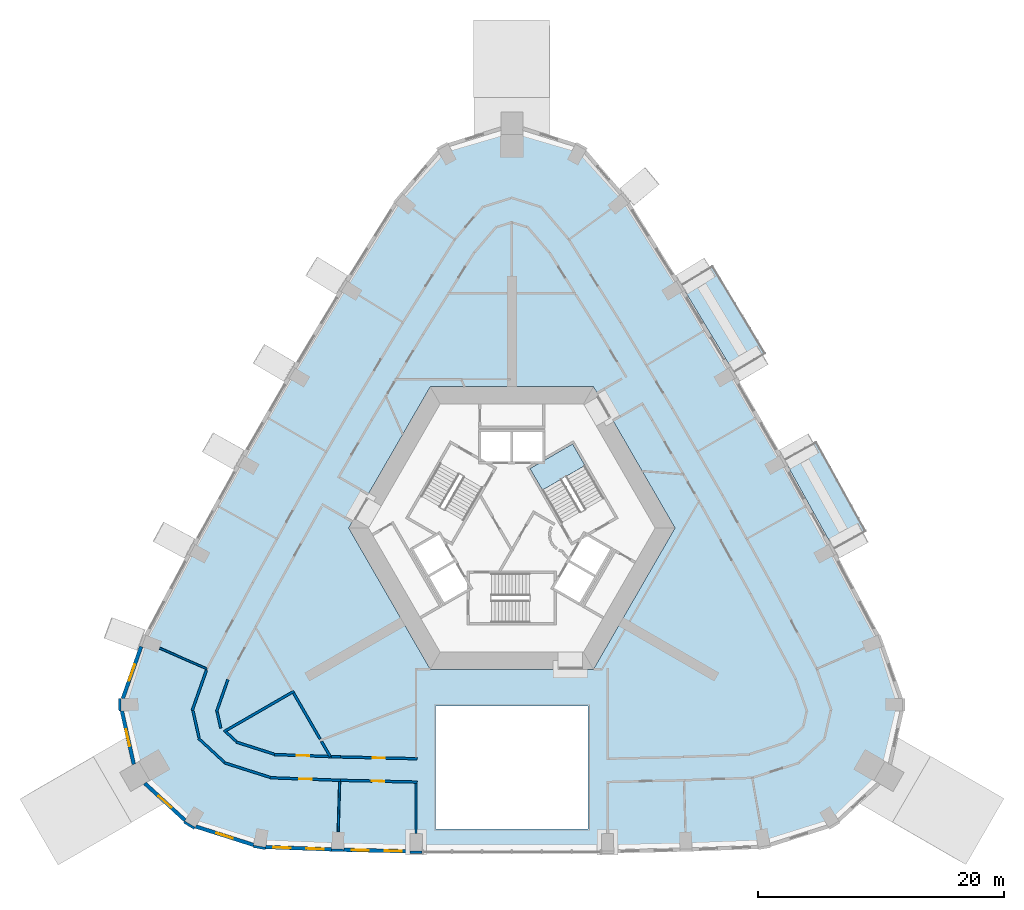
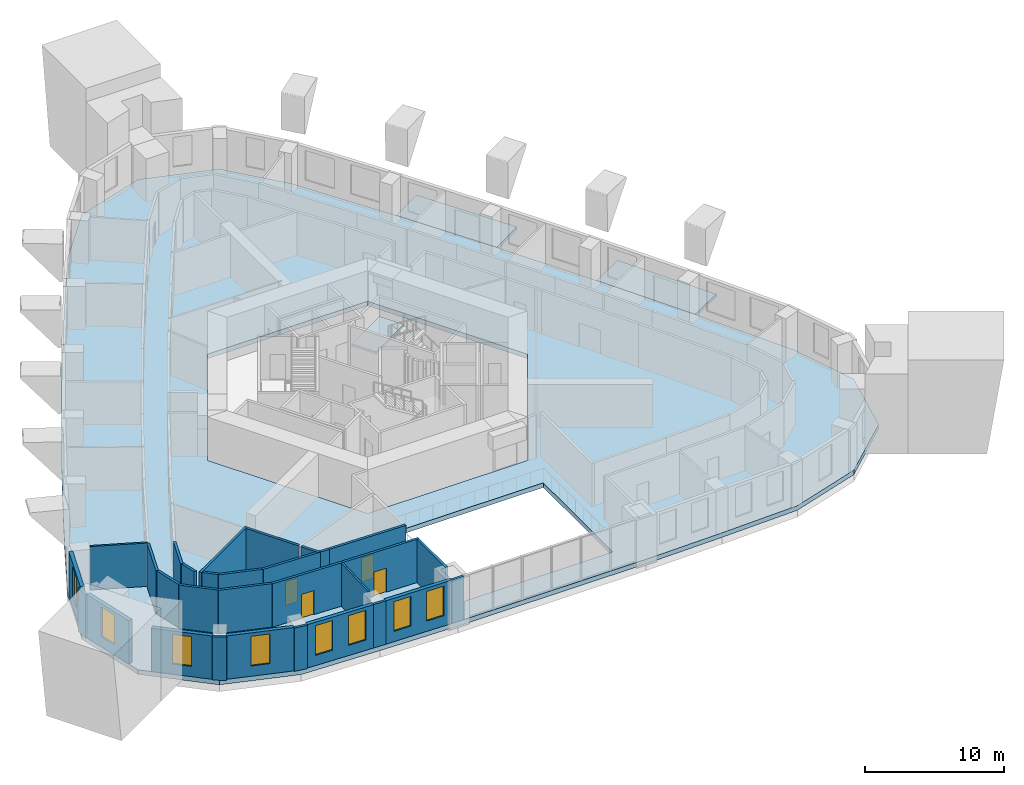
# One storey, part 3 of 13: 30 walls, 8 windows, 4 doors, 4 slabs, 12 openings, 1 element without a shape of its own.
"""IFC4 building model written with IfcOpenShell, lengths in metres."""

from ifc_helpers import new_model, si_unit, direction, frame, frame_2d, origin, place, context, subcontext, project, spatial, polyline, rectangle, outline, extrude, material, layer, layer_set, type_object, element, fill, aggregate, save


model = new_model("IFC4")

# Units and contexts
model_context = context("Model", 3, precision=1e-05, world=origin(), true_north=direction((0.0, 1.0)))
body_context = subcontext(model_context, "Body", "Model", "MODEL_VIEW")
ifc_project = project(units=[si_unit("LENGTHUNIT", "METRE"), si_unit("AREAUNIT", "SQUARE_METRE"), si_unit("VOLUMEUNIT", "CUBIC_METRE"), si_unit("PLANEANGLEUNIT", "RADIAN"), si_unit("MASSUNIT", "GRAM", prefix="KILO")], contexts=[model_context])

# Site, building, storey
site_placement = place(None, origin())
site = spatial("IfcSite", under=ifc_project, at=site_placement, CompositionType="ELEMENT")
building_placement = place(site_placement, origin())
building = spatial("IfcBuilding", under=site, at=building_placement, Name="Entoto Arch Interchange Tower", CompositionType="ELEMENT")
storey_placement = place(building_placement, frame((0.0, 0.0, 227.60009765625)))
storey = spatial("IfcBuildingStorey", under=building, at=storey_placement, Name="L51", CompositionType="ELEMENT", Elevation=227.60009765625)

# Slabs
ifc_material_1 = material(Name="Board-marked precast concrete C50/60", Category="concrete")
ifc_layer_1 = layer(ifc_material_1, 0.25)
ifc_layer_set_1 = layer_set([ifc_layer_1], Name="Board-marked precast concrete C50/60")
slab_type_1 = type_object("IfcSlabType", Name="BALCONY DECK PRECAST 250", PredefinedType="FLOOR", material=ifc_layer_set_1)
slab_1_placement = place(storey_placement, frame((0.0, 0.0, -0.25)))
element("IfcSlab", 1, at=slab_1_placement, inside=storey, type_object=slab_type_1, Name="Planted balcony NE-02 L51", PredefinedType="FLOOR", context=body_context, shape_type="SweptSolid", body=[
    extrude(outline(polyline([(26.18701171875, 0.818115234375), (22.18408203125, 8.041015625), (24.763916015625, 9.470947265625), (28.76708984375, 2.248046875), (26.18701171875, 0.818115234375)])), origin(), (0.0, 0.0, 1.0), 0.25),
])
slab_2_placement = place(storey_placement, frame((0.0, 0.0, -0.25)))
element("IfcSlab", 2, at=slab_2_placement, inside=storey, type_object=slab_type_1, Name="Planted balcony NE-04 L51", PredefinedType="FLOOR", context=body_context, shape_type="SweptSolid", body=[
    extrude(outline(polyline([(18.054931640625, 15.19091796875), (13.802001953125, 22.27001953125), (16.3310546875, 23.7890625), (20.583984375, 16.7099609375), (18.054931640625, 15.19091796875)])), origin(), (0.0, 0.0, 1.0), 0.25),
])

# Stair, slab
ifc_material_2 = material(Name="Concrete C40/50", Category="concrete")
stair_type = type_object("IfcStairType", Name="EXIT STAIR RC 1800", PredefinedType="HALF_TURN_STAIR", material=ifc_material_2)
stair_placement = place(storey_placement, origin())
stair = element("IfcStair", 3, at=stair_placement, inside=storey, type_object=stair_type, Name="L51 Exit stair NE", PredefinedType="HALF_TURN_STAIR")
ifc_layer_2 = layer(ifc_material_2, 0.199951171875)
ifc_layer_set_2 = layer_set([ifc_layer_2], Name="Concrete C40/50")
slab_type_2 = type_object("IfcSlabType", Name="EXIT STAIR LANDING RC 200", PredefinedType="LANDING", material=ifc_layer_set_2)
slab_3_placement = place(storey_placement, frame((0.0, 0.0, 1.89990234375)))
slab_3 = element("IfcSlab", 4, at=slab_3_placement, type_object=slab_type_2, Name="ST-NE landing 1", PredefinedType="LANDING", context=body_context, shape_type="SweptSolid", body=[
    extrude(outline(polyline([(5.953369140625, 7.58837890625), (4.943359375, 9.337890625), (1.479248046875, 7.337890625), (2.4892578125, 5.58837890625), (5.953369140625, 7.58837890625)])), origin(), (0.0, 0.0, 1.0), 0.199951171875),
])
aggregate(stair, [slab_3])

# Slab
ifc_layer_3 = layer(ifc_material_2, 0.39990234375)
ifc_layer_set_3 = layer_set([ifc_layer_3], Name="Concrete C40/50")
slab_type_3 = type_object("IfcSlabType", Name="Post-tensioned flat plate 400 C40/50", PredefinedType="FLOOR", material=ifc_layer_set_3)
slab_4_placement = place(storey_placement, frame((0.0, 0.0, -0.400146484375)))
element("IfcSlab", 5, at=slab_4_placement, inside=storey, type_object=slab_type_3, Name="Floor slab L51", PredefinedType="FLOOR", context=body_context, shape_type="SweptSolid", body=[
    extrude(outline(polyline([(-20.569091796875, -23.594970703125), (-14.18505859375, -23.830078125), (-7.800048828125, -23.97802734375), (7.800048828125, -23.97802734375), (14.18505859375, -23.830078125), (20.569091796875, -23.594970703125), (26.299072265625, -21.77099609375), (30.698974609375, -17.72412109375), (32.00390625, -11.889892578125), (30.14306640625, -6.6240234375), (26.18701171875, 0.818115234375), (22.18408203125, 8.041015625), (18.054931640625, 15.19091796875), (13.802001953125, 22.27001953125), (9.3349609375, 29.4169921875), (5.705078125, 33.660888671875), (0.0, 35.447998046875), (-5.705078125, 33.660888671875), (-9.3349609375, 29.4169921875), (-13.802001953125, 22.27001953125), (-18.054931640625, 15.19091796875), (-22.18408203125, 8.041015625), (-26.18701171875, 0.818115234375), (-30.14306640625, -6.6240234375), (-32.00390625, -11.889892578125), (-30.698974609375, -17.72412109375), (-26.299072265625, -21.77099609375), (-20.569091796875, -23.594970703125)]), holes=[polyline([(6.199951171875, -21.97802734375), (6.199951171875, -12.0), (-6.199951171875, -12.0), (-6.199951171875, -21.97802734375), (6.199951171875, -21.97802734375)]), polyline([(13.279052734375, 2.5), (6.639892578125, 14.0), (-6.639892578125, 14.0), (-13.279052734375, 2.5), (-6.639892578125, -9.0), (6.639892578125, -9.0), (13.279052734375, 2.5)])]), origin(), (0.0, 0.0, 1.0), 0.400146484375),
])

# Walls
ifc_material_3 = material(Name="Gypsum board partition on steel studs", Category="steel")
ifc_layer_4 = layer(ifc_material_3, 0.14990234375)
ifc_layer_set_4 = layer_set([ifc_layer_4], Name="Gypsum board partition on steel studs")
wall_type_1 = type_object("IfcWallType", Name="PARTITION 150", PredefinedType="PARTITIONING", material=ifc_layer_set_4)
wall_1_placement = place(storey_placement, frame((-24.819091796875, -8.964111328125, 0.0), z_axis=(0.0, 0.0, 1.0), x_axis=(-0.915460951187, 0.402406817602, 0.0)))
element("IfcWall", 6, at=wall_1_placement, inside=storey, type_object=wall_type_1, Name="wall:L51:p125", PredefinedType="PARTITIONING", context=body_context, shape_type="SweptSolid", body=[
    extrude(rectangle(XDim=4.1923828125, YDim=0.14990234375, at=frame_2d((2.09619140625, 0.0))), origin(), (0.0, 0.0, 1.0), 3.7998046875),
])
wall_2_placement = place(storey_placement, frame((-14.013916015625, -18.132080078125, 0.0), z_axis=(0.0, 0.0, 1.0), x_axis=(-0.029914181802, -0.999552470722, 0.0)))
element("IfcWall", 7, at=wall_2_placement, inside=storey, type_object=wall_type_1, Name="wall:L51:p126", PredefinedType="PARTITIONING", context=body_context, shape_type="SweptSolid", body=[
    extrude(rectangle(XDim=4.08056640625, YDim=0.14990234375, at=frame_2d((2.040283203125, 0.0))), origin(), (0.0, 0.0, 1.0), 3.7998046875),
])
ifc_layer_5 = layer(ifc_material_3, 0.199951171875)
ifc_layer_set_5 = layer_set([ifc_layer_5], Name="Gypsum board partition on steel studs")
wall_type_2 = type_object("IfcWallType", Name="PARTITION 200", PredefinedType="PARTITIONING", material=ifc_layer_set_5)
wall_3_placement = place(storey_placement, frame((-14.678955078125, -16.10693359375, 0.0), z_axis=(0.0, 0.0, 1.0), x_axis=(0.999351224613, -0.036015689132, 0.0)))
element("IfcWall", 8, at=wall_3_placement, inside=storey, type_object=wall_type_2, Name="wall:L51:p032", PredefinedType="PARTITIONING", context=body_context, shape_type="SweptSolid", body=[
    extrude(rectangle(XDim=0.725341796875, YDim=0.199951171875, at=frame_2d((0.36279296875, 0.0))), origin(), (0.0, 0.0, 1.0), 3.7998046875),
])

# Wall, opening, door
wall_4_placement = place(storey_placement, frame((-13.9541015625, -16.133056640625, 0.0), z_axis=(0.0, 0.0, 1.0), x_axis=(0.999731273021, -0.023181495732, 0.0)))
wall_4 = element("IfcWall", 9, at=wall_4_placement, inside=storey, type_object=wall_type_2, Name="wall:L51:p033", PredefinedType="PARTITIONING", context=body_context, shape_type="SweptSolid", body=[
    extrude(rectangle(XDim=6.255859375, YDim=0.199951171875, at=frame_2d((3.1279296875, 0.0))), origin(), (0.0, 0.0, 1.0), 3.7998046875),
])
opening_1_placement = place(wall_4_placement, frame((2.6279296875, 0.0, 0.0)))
opening_1 = element("IfcOpeningElement", 10, at=opening_1_placement, cuts=wall_4, Name="Opening L51-D21", PredefinedType="OPENING", context=body_context, shape_type="SweptSolid", body=[
    extrude(rectangle(XDim=1.0, YDim=2.10009765625, at=frame_2d((0.5, 1.050048828125))), frame((0.0, 0.10986328125, 0.0), z_axis=(0.0, -1.0, 0.0), x_axis=(1.0, 0.0, 0.0)), (0.0, 0.0, 1.0), 0.219970703125),
])
ifc_material_4 = material(Name="Timber door leaf in Steel S235 frame", Category="steel")
door_type = type_object("IfcDoorType", Name="DOOR DS-10 1000x2100", OperationType="SINGLE_SWING_LEFT", PredefinedType="DOOR", material=ifc_material_4)
door_1_placement = place(opening_1_placement, origin())
door_1 = element("IfcDoor", 11, at=door_1_placement, inside=storey, type_object=door_type, Name="door:L51:21", OperationType="SINGLE_SWING_LEFT", OverallHeight=2.10009765625, OverallWidth=1.0, PredefinedType="DOOR", context=body_context, shape_type="SweptSolid", body=[
    extrude(rectangle(XDim=1.0, YDim=2.10009765625, at=frame_2d((0.5, 1.050048828125))), frame((0.0, 0.02490234375, 0.0), z_axis=(0.0, -1.0, 0.0), x_axis=(1.0, 0.0, 0.0)), (0.0, 0.0, 1.0), 0.050048828125),
])
fill(opening_1, door_1)

# Walls
wall_5_placement = place(storey_placement, frame((-23.10791015625, -9.824951171875, 0.0), z_axis=(0.0, 0.0, 1.0), x_axis=(-0.333166995935, -0.942867834227, 0.0)))
element("IfcWall", 12, at=wall_5_placement, inside=storey, type_object=wall_type_2, Name="wall:L51:p035", PredefinedType="PARTITIONING", context=body_context, shape_type="SweptSolid", body=[
    extrude(rectangle(XDim=2.7978515625, YDim=0.199951171875, at=frame_2d((1.39892578125, 0.0))), origin(), (0.0, 0.0, 1.0), 3.7998046875),
])
wall_6_placement = place(storey_placement, frame((-23.985107421875, -12.467041015625, 0.0), z_axis=(0.0, 0.0, 1.0), x_axis=(0.2188980935, -0.975747725932, 0.0)))
element("IfcWall", 13, at=wall_6_placement, inside=storey, type_object=wall_type_2, Name="wall:L51:p036", PredefinedType="PARTITIONING", context=body_context, shape_type="SweptSolid", body=[
    extrude(rectangle(XDim=1.352783203125, YDim=0.199951171875, at=frame_2d((0.67626953125, 0.0))), origin(), (0.0, 0.0, 1.0), 3.7998046875),
])
wall_7_placement = place(storey_placement, frame((-23.27197265625, -14.093017578125, 0.0), z_axis=(0.0, 0.0, 1.0), x_axis=(0.735605495063, -0.677410182705, 0.0)))
element("IfcWall", 14, at=wall_7_placement, inside=storey, type_object=wall_type_2, Name="wall:L51:p037", PredefinedType="PARTITIONING", context=body_context, shape_type="SweptSolid", body=[
    extrude(rectangle(XDim=1.166259765625, YDim=0.199951171875, at=frame_2d((0.5830078125, 0.0))), origin(), (0.0, 0.0, 1.0), 3.7998046875),
])
wall_8_placement = place(storey_placement, frame((-22.43505859375, -14.919921875, 0.0), z_axis=(0.0, 0.0, 1.0), x_axis=(0.952831275662, -0.303500510906, 0.0)))
element("IfcWall", 15, at=wall_8_placement, inside=storey, type_object=wall_type_2, Name="wall:L51:p038", PredefinedType="PARTITIONING", context=body_context, shape_type="SweptSolid", body=[
    extrude(rectangle(XDim=3.2587890625, YDim=0.199951171875, at=frame_2d((1.62939453125, 0.0))), origin(), (0.0, 0.0, 1.0), 3.7998046875),
])

# Wall, opening, door
wall_9_placement = place(storey_placement, frame((-19.3349609375, -15.93505859375, 0.0), z_axis=(0.0, 0.0, 1.0), x_axis=(0.999319348495, -0.036889561184, 0.0)))
wall_9 = element("IfcWall", 16, at=wall_9_placement, inside=storey, type_object=wall_type_2, Name="wall:L51:p039", PredefinedType="PARTITIONING", context=body_context, shape_type="SweptSolid", body=[
    extrude(rectangle(XDim=4.6591796875, YDim=0.199951171875, at=frame_2d((2.32958984375, 0.0))), origin(), (0.0, 0.0, 1.0), 3.7998046875),
])
opening_2_placement = place(wall_9_placement, frame((1.830078125, 0.0, 0.0)))
opening_2 = element("IfcOpeningElement", 17, at=opening_2_placement, cuts=wall_9, Name="Opening L51-D23", PredefinedType="OPENING", context=body_context, shape_type="SweptSolid", body=[
    extrude(rectangle(XDim=1.0, YDim=2.10009765625, at=frame_2d((0.5, 1.050048828125))), frame((0.0, 0.10986328125, 0.0), z_axis=(0.0, -1.0, 0.0), x_axis=(1.0, 0.0, 0.0)), (0.0, 0.0, 1.0), 0.219970703125),
])
door_2_placement = place(opening_2_placement, origin())
door_2 = element("IfcDoor", 18, at=door_2_placement, inside=storey, type_object=door_type, Name="door:L51:23", OperationType="SINGLE_SWING_LEFT", OverallHeight=2.10009765625, OverallWidth=1.0, PredefinedType="DOOR", context=body_context, shape_type="SweptSolid", body=[
    extrude(rectangle(XDim=1.0, YDim=2.10009765625, at=frame_2d((0.5, 1.050048828125))), frame((0.0, 0.02490234375, 0.0), z_axis=(0.0, -1.0, 0.0), x_axis=(1.0, 0.0, 0.0)), (0.0, 0.0, 1.0), 0.050048828125),
])
fill(opening_2, door_2)

wall_10_placement = place(storey_placement, frame((-13.93603515625, -18.034912109375, 0.0), z_axis=(0.0, 0.0, 1.0), x_axis=(-0.999322629955, 0.036800560578, 0.0)))
wall_10 = element("IfcWall", 19, at=wall_10_placement, inside=storey, type_object=wall_type_2, Name="wall:L51:p065", PredefinedType="PARTITIONING", context=body_context, shape_type="SweptSolid", body=[
    extrude(rectangle(XDim=5.73193359375, YDim=0.199951171875, at=frame_2d((2.865966796875, 0.0))), origin(), (0.0, 0.0, 1.0), 3.7998046875),
])
opening_3_placement = place(wall_10_placement, frame((2.365966796875, 0.0, 0.0)))
opening_3 = element("IfcOpeningElement", 20, at=opening_3_placement, cuts=wall_10, Name="Opening L51-D13", PredefinedType="OPENING", context=body_context, shape_type="SweptSolid", body=[
    extrude(rectangle(XDim=1.0, YDim=2.10009765625, at=frame_2d((0.5, 1.050048828125))), frame((0.0, 0.10986328125, 0.0), z_axis=(0.0, -1.0, 0.0), x_axis=(1.0, 0.0, 0.0)), (0.0, 0.0, 1.0), 0.219970703125),
])
door_3_placement = place(opening_3_placement, origin())
door_3 = element("IfcDoor", 21, at=door_3_placement, inside=storey, type_object=door_type, Name="door:L51:13", OperationType="SINGLE_SWING_LEFT", OverallHeight=2.10009765625, OverallWidth=1.0, PredefinedType="DOOR", context=body_context, shape_type="SweptSolid", body=[
    extrude(rectangle(XDim=1.0, YDim=2.10009765625, at=frame_2d((0.5, 1.050048828125))), frame((0.0, 0.02490234375, 0.0), z_axis=(0.0, -1.0, 0.0), x_axis=(1.0, 0.0, 0.0)), (0.0, 0.0, 1.0), 0.050048828125),
])
fill(opening_3, door_3)

# Walls
wall_11_placement = place(storey_placement, frame((-19.659912109375, -17.798095703125, 0.0), z_axis=(0.0, 0.0, 1.0), x_axis=(-0.952838618572, 0.303477457083, 0.0)))
element("IfcWall", 22, at=wall_11_placement, inside=storey, type_object=wall_type_2, Name="wall:L51:p066", PredefinedType="PARTITIONING", context=body_context, shape_type="SweptSolid", body=[
    extrude(rectangle(XDim=3.93798828125, YDim=0.199951171875, at=frame_2d((1.968994140625, 0.0))), origin(), (0.0, 0.0, 1.0), 3.7998046875),
])
wall_12_placement = place(storey_placement, frame((-23.39111328125, -16.56591796875, 0.0), z_axis=(0.0, 0.0, 1.0), x_axis=(-0.735846476242, 0.677148405745, 0.0)))
element("IfcWall", 23, at=wall_12_placement, inside=storey, type_object=wall_type_2, Name="wall:L51:p067", PredefinedType="PARTITIONING", context=body_context, shape_type="SweptSolid", body=[
    extrude(rectangle(XDim=2.878173828125, YDim=0.199951171875, at=frame_2d((1.43896484375, 0.0))), origin(), (0.0, 0.0, 1.0), 3.7998046875),
])
wall_13_placement = place(storey_placement, frame((-25.45703125, -14.5869140625, 0.0), z_axis=(0.0, 0.0, 1.0), x_axis=(-0.2183498404, 0.975870558628, 0.0)))
element("IfcWall", 24, at=wall_13_placement, inside=storey, type_object=wall_type_2, Name="wall:L51:p068", PredefinedType="PARTITIONING", context=body_context, shape_type="SweptSolid", body=[
    extrude(rectangle(XDim=2.29443359375, YDim=0.199951171875, at=frame_2d((1.147216796875, 0.0))), origin(), (0.0, 0.0, 1.0), 3.7998046875),
])
wall_14_placement = place(storey_placement, frame((-26.012939453125, -12.344970703125, 0.0), z_axis=(0.0, 0.0, 1.0), x_axis=(0.333116923704, 0.942885526001, 0.0)))
element("IfcWall", 25, at=wall_14_placement, inside=storey, type_object=wall_type_2, Name="wall:L51:p069", PredefinedType="PARTITIONING", context=body_context, shape_type="SweptSolid", body=[
    extrude(rectangle(XDim=3.48486328125, YDim=0.199951171875, at=frame_2d((1.742431640625, 0.0))), origin(), (0.0, 0.0, 1.0), 3.7998046875),
])

# Wall, opening, door
wall_15_placement = place(storey_placement, frame((-7.699951171875, -18.178955078125, 0.0), z_axis=(0.0, 0.0, 1.0), x_axis=(-0.999729714353, 0.023248618029, 0.0)))
wall_15 = element("IfcWall", 26, at=wall_15_placement, inside=storey, type_object=wall_type_2, Name="wall:L51:p070", PredefinedType="PARTITIONING", context=body_context, shape_type="SweptSolid", body=[
    extrude(rectangle(XDim=6.23779296875, YDim=0.199951171875, at=frame_2d((3.118896484375, 0.0))), origin(), (0.0, 0.0, 1.0), 3.7998046875),
])
opening_4_placement = place(wall_15_placement, frame((2.694091796875, 0.0, 0.0)))
opening_4 = element("IfcOpeningElement", 27, at=opening_4_placement, cuts=wall_15, Name="Opening L51-D14", PredefinedType="OPENING", context=body_context, shape_type="SweptSolid", body=[
    extrude(rectangle(XDim=1.0, YDim=2.10009765625, at=frame_2d((0.5, 1.050048828125))), frame((0.0, 0.10986328125, 0.0), z_axis=(0.0, -1.0, 0.0), x_axis=(1.0, 0.0, 0.0)), (0.0, 0.0, 1.0), 0.219970703125),
])
door_4_placement = place(opening_4_placement, origin())
door_4 = element("IfcDoor", 28, at=door_4_placement, inside=storey, type_object=door_type, Name="door:L51:14", OperationType="SINGLE_SWING_LEFT", OverallHeight=2.10009765625, OverallWidth=1.0, PredefinedType="DOOR", context=body_context, shape_type="SweptSolid", body=[
    extrude(rectangle(XDim=1.0, YDim=2.10009765625, at=frame_2d((0.5, 1.050048828125))), frame((0.0, 0.02490234375, 0.0), z_axis=(0.0, -1.0, 0.0), x_axis=(1.0, 0.0, 0.0)), (0.0, 0.0, 1.0), 0.050048828125),
])
fill(opening_4, door_4)

# Walls
wall_16_placement = place(storey_placement, frame((-7.800048828125, -22.35791015625, 0.0), z_axis=(0.0, 0.0, 1.0), x_axis=(0.0, 1.0, 0.0)))
element("IfcWall", 29, at=wall_16_placement, inside=storey, type_object=wall_type_2, Name="wall:L51:p103", PredefinedType="PARTITIONING", context=body_context, shape_type="SweptSolid", body=[
    extrude(rectangle(XDim=4.08203125, YDim=0.199951171875, at=frame_2d((2.041015625, 0.0))), origin(), (0.0, 0.0, 1.0), 3.7998046875),
])
wall_17_placement = place(storey_placement, frame((-15.59912109375, -14.681884765625, 0.0), z_axis=(0.0, 0.0, 1.0), x_axis=(-0.500033987016, 0.866005780482, 0.0)))
element("IfcWall", 30, at=wall_17_placement, inside=storey, type_object=wall_type_2, Name="wall:L51:p111", PredefinedType="PARTITIONING", context=body_context, shape_type="SweptSolid", body=[
    extrude(rectangle(XDim=4.341552734375, YDim=0.199951171875, at=frame_2d((2.1708984375, 0.0))), origin(), (0.0, 0.0, 1.0), 3.7998046875),
])
wall_18_placement = place(storey_placement, frame((-14.778076171875, -16.10302734375, 0.0), z_axis=(0.0, 0.0, 1.0), x_axis=(-0.500495009846, 0.865739421027, 0.0)))
element("IfcWall", 31, at=wall_18_placement, inside=storey, type_object=wall_type_2, Name="wall:L51:p112", PredefinedType="PARTITIONING", context=body_context, shape_type="SweptSolid", body=[
    extrude(rectangle(XDim=1.4404296875, YDim=0.199951171875, at=frame_2d((0.72021484375, 0.0))), origin(), (0.0, 0.0, 1.0), 3.7998046875),
])
wall_19_placement = place(storey_placement, frame((-17.73291015625, -10.784912109375, 0.0), z_axis=(0.0, 0.0, 1.0), x_axis=(-0.865978611197, -0.500081038382, 0.0)))
element("IfcWall", 32, at=wall_19_placement, inside=storey, type_object=wall_type_2, Name="wall:L51:p113", PredefinedType="PARTITIONING", context=body_context, shape_type="SweptSolid", body=[
    extrude(rectangle(XDim=6.5810546875, YDim=0.199951171875, at=frame_2d((3.29052734375, 0.0))), origin(), (0.0, 0.0, 1.0), 3.7998046875),
])

# Wall, openings, windows
ifc_material_5 = material(Name="Welded tuff (ignimbrite) cladding, warm buff", Category="masonry")
ifc_layer_6 = layer(ifc_material_5, 0.300048828125)
ifc_layer_set_6 = layer_set([ifc_layer_6], Name="Welded tuff (ignimbrite) cladding, warm buff")
wall_type_3 = type_object("IfcWallType", Name="STONE INFILL WALL 300", PredefinedType="STANDARD", material=ifc_layer_set_6)
wall_20_placement = place(storey_placement, frame((-20.0400390625, -23.464111328125, 0.0), z_axis=(0.0, 0.0, 1.0), x_axis=(0.999318693414, -0.036907302717, 0.0)))
wall_20 = element("IfcWall", 33, at=wall_20_placement, inside=storey, type_object=wall_type_3, Name="Facade wall S-01 L51", PredefinedType="STANDARD", context=body_context, shape_type="SweptSolid", body=[
    extrude(rectangle(XDim=5.36474609375, YDim=0.300048828125, at=frame_2d((2.682373046875, 0.0))), origin(), (0.0, 0.0, 1.0), 3.7998046875),
])
opening_5_placement = place(wall_20_placement, frame((0.64111328125, 0.0, 0.89990234375)))
opening_5 = element("IfcOpeningElement", 34, at=opening_5_placement, cuts=wall_20, Name="Opening WO-B", PredefinedType="OPENING", context=body_context, shape_type="SweptSolid", body=[
    extrude(rectangle(XDim=1.39990234375, YDim=2.60009765625, at=frame_2d((0.699951171875, 1.300048828125))), frame((0.0, 0.16015625, 0.0), z_axis=(0.0, -1.0, 0.0), x_axis=(1.0, 0.0, 0.0)), (0.0, 0.0, 1.0), 0.320068359375),
])
opening_6_placement = place(wall_20_placement, frame((3.322998046875, 0.0, 0.89990234375)))
opening_6 = element("IfcOpeningElement", 35, at=opening_6_placement, cuts=wall_20, Name="Opening WO-B", PredefinedType="OPENING", context=body_context, shape_type="SweptSolid", body=[
    extrude(rectangle(XDim=1.39990234375, YDim=2.60009765625, at=frame_2d((0.699951171875, 1.300048828125))), frame((0.0, 0.16015625, 0.0), z_axis=(0.0, -1.0, 0.0), x_axis=(1.0, 0.0, 0.0)), (0.0, 0.0, 1.0), 0.320068359375),
])
ifc_material_6 = material(Name="Clear glass, low-e double glazed", Category="glass")
window_type = type_object("IfcWindowType", Name="WINDOW WO-B 1400x2600", PartitioningType="DOUBLE_PANEL_VERTICAL", PredefinedType="WINDOW", material=ifc_material_6)
window_1_placement = place(opening_5_placement, origin())
window_1 = element("IfcWindow", 36, at=window_1_placement, inside=storey, type_object=window_type, Name="Window WO-B S-01 L51", OverallHeight=2.60009765625, OverallWidth=1.39990234375, PartitioningType="SINGLE_PANEL", PredefinedType="WINDOW", context=body_context, shape_type="SweptSolid", body=[
    extrude(rectangle(XDim=1.39990234375, YDim=2.60009765625, at=frame_2d((0.699951171875, 1.300048828125))), frame((0.0, 0.030029296875, 0.0), z_axis=(0.0, -1.0, 0.0), x_axis=(1.0, 0.0, 0.0)), (0.0, 0.0, 1.0), 0.06005859375),
])
fill(opening_5, window_1)
window_2_placement = place(opening_6_placement, origin())
window_2 = element("IfcWindow", 37, at=window_2_placement, inside=storey, type_object=window_type, Name="Window WO-B S-01 L51", OverallHeight=2.60009765625, OverallWidth=1.39990234375, PartitioningType="SINGLE_PANEL", PredefinedType="WINDOW", context=body_context, shape_type="SweptSolid", body=[
    extrude(rectangle(XDim=1.39990234375, YDim=2.60009765625, at=frame_2d((0.699951171875, 1.300048828125))), frame((0.0, 0.030029296875, 0.0), z_axis=(0.0, -1.0, 0.0), x_axis=(1.0, 0.0, 0.0)), (0.0, 0.0, 1.0), 0.06005859375),
])
fill(opening_6, window_2)

wall_21_placement = place(storey_placement, frame((-13.680908203125, -23.69189453125, 0.0), z_axis=(0.0, 0.0, 1.0), x_axis=(0.999734766333, -0.023030349233, 0.0)))
wall_21 = element("IfcWall", 38, at=wall_21_placement, inside=storey, type_object=wall_type_3, Name="Facade wall S-02 L51", PredefinedType="STANDARD", context=body_context, shape_type="SweptSolid", body=[
    extrude(rectangle(XDim=5.38525390625, YDim=0.300048828125, at=frame_2d((2.692626953125, 0.0))), origin(), (0.0, 0.0, 1.0), 3.7998046875),
])
opening_7_placement = place(wall_21_placement, frame((0.64599609375, 0.0, 0.89990234375)))
opening_7 = element("IfcOpeningElement", 39, at=opening_7_placement, cuts=wall_21, Name="Opening WO-B", PredefinedType="OPENING", context=body_context, shape_type="SweptSolid", body=[
    extrude(rectangle(XDim=1.39990234375, YDim=2.60009765625, at=frame_2d((0.699951171875, 1.300048828125))), frame((0.0, 0.16015625, 0.0), z_axis=(0.0, -1.0, 0.0), x_axis=(1.0, 0.0, 0.0)), (0.0, 0.0, 1.0), 0.320068359375),
])
opening_8_placement = place(wall_21_placement, frame((3.339111328125, 0.0, 0.89990234375)))
opening_8 = element("IfcOpeningElement", 40, at=opening_8_placement, cuts=wall_21, Name="Opening WO-B", PredefinedType="OPENING", context=body_context, shape_type="SweptSolid", body=[
    extrude(rectangle(XDim=1.39990234375, YDim=2.60009765625, at=frame_2d((0.699951171875, 1.300048828125))), frame((0.0, 0.16015625, 0.0), z_axis=(0.0, -1.0, 0.0), x_axis=(1.0, 0.0, 0.0)), (0.0, 0.0, 1.0), 0.320068359375),
])
window_3_placement = place(opening_7_placement, origin())
window_3 = element("IfcWindow", 41, at=window_3_placement, inside=storey, type_object=window_type, Name="Window WO-B S-02 L51", OverallHeight=2.60009765625, OverallWidth=1.39990234375, PartitioningType="SINGLE_PANEL", PredefinedType="WINDOW", context=body_context, shape_type="SweptSolid", body=[
    extrude(rectangle(XDim=1.39990234375, YDim=2.60009765625, at=frame_2d((0.699951171875, 1.300048828125))), frame((0.0, 0.030029296875, 0.0), z_axis=(0.0, -1.0, 0.0), x_axis=(1.0, 0.0, 0.0)), (0.0, 0.0, 1.0), 0.06005859375),
])
fill(opening_7, window_3)
window_4_placement = place(opening_8_placement, origin())
window_4 = element("IfcWindow", 42, at=window_4_placement, inside=storey, type_object=window_type, Name="Window WO-B S-02 L51", OverallHeight=2.60009765625, OverallWidth=1.39990234375, PartitioningType="SINGLE_PANEL", PredefinedType="WINDOW", context=body_context, shape_type="SweptSolid", body=[
    extrude(rectangle(XDim=1.39990234375, YDim=2.60009765625, at=frame_2d((0.699951171875, 1.300048828125))), frame((0.0, 0.030029296875, 0.0), z_axis=(0.0, -1.0, 0.0), x_axis=(1.0, 0.0, 0.0)), (0.0, 0.0, 1.0), 0.06005859375),
])
fill(opening_8, window_4)

# Wall, opening, window
wall_22_placement = place(storey_placement, frame((-30.1689453125, -7.14697265625, 0.0), z_axis=(0.0, 0.0, 1.0), x_axis=(-0.333280640478, -0.942827669663, 0.0)))
wall_22 = element("IfcWall", 43, at=wall_22_placement, inside=storey, type_object=wall_type_3, Name="Facade wall SW-01 L51", PredefinedType="STANDARD", context=body_context, shape_type="SweptSolid", body=[
    extrude(rectangle(XDim=4.491943359375, YDim=0.300048828125, at=frame_2d((2.24609375, 0.0))), origin(), (0.0, 0.0, 1.0), 3.7998046875),
])
opening_9_placement = place(wall_22_placement, frame((1.5458984375, 0.0, 0.89990234375)))
opening_9 = element("IfcOpeningElement", 44, at=opening_9_placement, cuts=wall_22, Name="Opening WO-B", PredefinedType="OPENING", context=body_context, shape_type="SweptSolid", body=[
    extrude(rectangle(XDim=1.39990234375, YDim=2.60009765625, at=frame_2d((0.699951171875, 1.300048828125))), frame((0.0, 0.16015625, 0.0), z_axis=(0.0, -1.0, 0.0), x_axis=(1.0, 0.0, 0.0)), (0.0, 0.0, 1.0), 0.320068359375),
])
window_5_placement = place(opening_9_placement, origin())
window_5 = element("IfcWindow", 45, at=window_5_placement, inside=storey, type_object=window_type, Name="Window WO-B SW-01 L51", OverallHeight=2.60009765625, OverallWidth=1.39990234375, PartitioningType="SINGLE_PANEL", PredefinedType="WINDOW", context=body_context, shape_type="SweptSolid", body=[
    extrude(rectangle(XDim=1.39990234375, YDim=2.60009765625, at=frame_2d((0.699951171875, 1.300048828125))), frame((0.0, 0.030029296875, 0.0), z_axis=(0.0, -1.0, 0.0), x_axis=(1.0, 0.0, 0.0)), (0.0, 0.0, 1.0), 0.06005859375),
])
fill(opening_9, window_5)

wall_23_placement = place(storey_placement, frame((-31.739990234375, -12.383056640625, 0.0), z_axis=(0.0, 0.0, 1.0), x_axis=(0.218179157422, -0.975908733062, 0.0)))
wall_23 = element("IfcWall", 46, at=wall_23_placement, inside=storey, type_object=wall_type_3, Name="Facade wall SW-02 L51", PredefinedType="STANDARD", context=body_context, shape_type="SweptSolid", body=[
    extrude(rectangle(XDim=4.4501953125, YDim=0.300048828125, at=frame_2d((2.22509765625, 0.0))), origin(), (0.0, 0.0, 1.0), 3.7998046875),
])
opening_10_placement = place(wall_23_placement, frame((1.52490234375, 0.0, 0.89990234375)))
opening_10 = element("IfcOpeningElement", 47, at=opening_10_placement, cuts=wall_23, Name="Opening WO-B", PredefinedType="OPENING", context=body_context, shape_type="SweptSolid", body=[
    extrude(rectangle(XDim=1.39990234375, YDim=2.60009765625, at=frame_2d((0.699951171875, 1.300048828125))), frame((0.0, 0.16015625, 0.0), z_axis=(0.0, -1.0, 0.0), x_axis=(1.0, 0.0, 0.0)), (0.0, 0.0, 1.0), 0.320068359375),
])
window_6_placement = place(opening_10_placement, origin())
window_6 = element("IfcWindow", 48, at=window_6_placement, inside=storey, type_object=window_type, Name="Window WO-B SW-02 L51", OverallHeight=2.60009765625, OverallWidth=1.39990234375, PartitioningType="SINGLE_PANEL", PredefinedType="WINDOW", context=body_context, shape_type="SweptSolid", body=[
    extrude(rectangle(XDim=1.39990234375, YDim=2.60009765625, at=frame_2d((0.699951171875, 1.300048828125))), frame((0.0, 0.030029296875, 0.0), z_axis=(0.0, -1.0, 0.0), x_axis=(1.0, 0.0, 0.0)), (0.0, 0.0, 1.0), 0.06005859375),
])
fill(opening_10, window_6)

wall_24_placement = place(storey_placement, frame((-29.868896484375, -18.282958984375, 0.0), z_axis=(0.0, 0.0, 1.0), x_axis=(0.735927731403, -0.67706009641, 0.0)))
wall_24 = element("IfcWall", 49, at=wall_24_placement, inside=storey, type_object=wall_type_3, Name="Facade wall SW-03 L51", PredefinedType="STANDARD", context=body_context, shape_type="SweptSolid", body=[
    extrude(rectangle(XDim=4.449951171875, YDim=0.300048828125, at=frame_2d((2.22509765625, 0.0))), origin(), (0.0, 0.0, 1.0), 3.7998046875),
])
opening_11_placement = place(wall_24_placement, frame((1.52490234375, 0.0, 0.89990234375)))
opening_11 = element("IfcOpeningElement", 50, at=opening_11_placement, cuts=wall_24, Name="Opening WO-B", PredefinedType="OPENING", context=body_context, shape_type="SweptSolid", body=[
    extrude(rectangle(XDim=1.39990234375, YDim=2.60009765625, at=frame_2d((0.699951171875, 1.300048828125))), frame((0.0, 0.16015625, 0.0), z_axis=(0.0, -1.0, 0.0), x_axis=(1.0, 0.0, 0.0)), (0.0, 0.0, 1.0), 0.320068359375),
])
window_7_placement = place(opening_11_placement, origin())
window_7 = element("IfcWindow", 51, at=window_7_placement, inside=storey, type_object=window_type, Name="Window WO-B SW-03 L51", OverallHeight=2.60009765625, OverallWidth=1.39990234375, PartitioningType="SINGLE_PANEL", PredefinedType="WINDOW", context=body_context, shape_type="SweptSolid", body=[
    extrude(rectangle(XDim=1.39990234375, YDim=2.60009765625, at=frame_2d((0.699951171875, 1.300048828125))), frame((0.0, 0.030029296875, 0.0), z_axis=(0.0, -1.0, 0.0), x_axis=(1.0, 0.0, 0.0)), (0.0, 0.0, 1.0), 0.06005859375),
])
fill(opening_11, window_7)

wall_25_placement = place(storey_placement, frame((-25.72900390625, -21.794921875, 0.0), z_axis=(0.0, 0.0, 1.0), x_axis=(0.952886818649, -0.30332608006, 0.0)))
wall_25 = element("IfcWall", 52, at=wall_25_placement, inside=storey, type_object=wall_type_3, Name="Facade wall SW-04 L51", PredefinedType="STANDARD", context=body_context, shape_type="SweptSolid", body=[
    extrude(rectangle(XDim=4.938720703125, YDim=0.300048828125, at=frame_2d((2.46923828125, 0.0))), origin(), (0.0, 0.0, 1.0), 3.7998046875),
])
opening_12_placement = place(wall_25_placement, frame((1.76904296875, 0.0, 0.89990234375)))
opening_12 = element("IfcOpeningElement", 53, at=opening_12_placement, cuts=wall_25, Name="Opening WO-B", PredefinedType="OPENING", context=body_context, shape_type="SweptSolid", body=[
    extrude(rectangle(XDim=1.39990234375, YDim=2.60009765625, at=frame_2d((0.699951171875, 1.300048828125))), frame((0.0, 0.16015625, 0.0), z_axis=(0.0, -1.0, 0.0), x_axis=(1.0, 0.0, 0.0)), (0.0, 0.0, 1.0), 0.320068359375),
])
window_8_placement = place(opening_12_placement, origin())
window_8 = element("IfcWindow", 54, at=window_8_placement, inside=storey, type_object=window_type, Name="Window WO-B SW-04 L51", OverallHeight=2.60009765625, OverallWidth=1.39990234375, PartitioningType="SINGLE_PANEL", PredefinedType="WINDOW", context=body_context, shape_type="SweptSolid", body=[
    extrude(rectangle(XDim=1.39990234375, YDim=2.60009765625, at=frame_2d((0.699951171875, 1.300048828125))), frame((0.0, 0.030029296875, 0.0), z_axis=(0.0, -1.0, 0.0), x_axis=(1.0, 0.0, 0.0)), (0.0, 0.0, 1.0), 0.06005859375),
])
fill(opening_12, window_8)

# Walls
ifc_layer_7 = layer(ifc_material_5, 0.199951171875)
ifc_layer_set_7 = layer_set([ifc_layer_7], Name="Welded tuff (ignimbrite) cladding, warm buff")
wall_type_4 = type_object("IfcWallType", Name="STONE PIER CLADDING 200", PredefinedType="STANDARD", material=ifc_layer_set_7)
wall_26_placement = place(storey_placement, frame((-21.044921875, -23.412109375, 0.0), z_axis=(0.0, 0.0, 1.0), x_axis=(0.985631544579, -0.168909615862, 0.0)))
element("IfcWall", 55, at=wall_26_placement, inside=storey, type_object=wall_type_4, Name="Stone pier S01 L51", PredefinedType="STANDARD", context=body_context, shape_type="SweptSolid", body=[
    extrude(rectangle(XDim=1.000244140625, YDim=0.199951171875, at=frame_2d((0.5, 0.0))), origin(), (0.0, 0.0, 1.0), 3.7998046875),
])
wall_27_placement = place(storey_placement, frame((-14.680908203125, -23.712890625, 0.0), z_axis=(0.0, 0.0, 1.0), x_axis=(0.999415245245, -0.034193092457, 0.0)))
element("IfcWall", 56, at=wall_27_placement, inside=storey, type_object=wall_type_4, Name="Stone pier S02 L51", PredefinedType="STANDARD", context=body_context, shape_type="SweptSolid", body=[
    extrude(rectangle(XDim=0.99951171875, YDim=0.199951171875, at=frame_2d((0.499755859375, 0.0))), origin(), (0.0, 0.0, 1.0), 3.7998046875),
])
wall_28_placement = place(storey_placement, frame((-8.299072265625, -23.87109375, 0.0), z_axis=(0.0, 0.0, 1.0), x_axis=(0.999903186316, -0.013914668364, 0.0)))
element("IfcWall", 57, at=wall_28_placement, inside=storey, type_object=wall_type_4, Name="Stone pier S03 L51", PredefinedType="STANDARD", context=body_context, shape_type="SweptSolid", body=[
    extrude(rectangle(XDim=1.0, YDim=0.199951171875, at=frame_2d((0.5, 0.0))), origin(), (0.0, 0.0, 1.0), 3.7998046875),
])
wall_29_placement = place(storey_placement, frame((-31.916015625, -11.387939453125, 0.0), z_axis=(0.0, 0.0, 1.0), x_axis=(0.023942303888, -0.999713341956, 0.0)))
element("IfcWall", 58, at=wall_29_placement, inside=storey, type_object=wall_type_4, Name="Stone pier SW1 L51", PredefinedType="STANDARD", context=body_context, shape_type="SweptSolid", body=[
    extrude(rectangle(XDim=0.999267578125, YDim=0.199951171875, at=frame_2d((0.49951171875, 0.0))), origin(), (0.0, 0.0, 1.0), 3.7998046875),
])
wall_30_placement = place(storey_placement, frame((-26.674072265625, -21.425048828125, 0.0), z_axis=(0.0, 0.0, 1.0), x_axis=(0.853679739553, -0.520798331677, 0.0)))
element("IfcWall", 59, at=wall_30_placement, inside=storey, type_object=wall_type_4, Name="Stone pier SW3 L51", PredefinedType="STANDARD", context=body_context, shape_type="SweptSolid", body=[
    extrude(rectangle(XDim=1.00048828125, YDim=0.199951171875, at=frame_2d((0.500244140625, 0.0))), origin(), (0.0, 0.0, 1.0), 3.7998046875),
])

save(model, "model.ifc")
